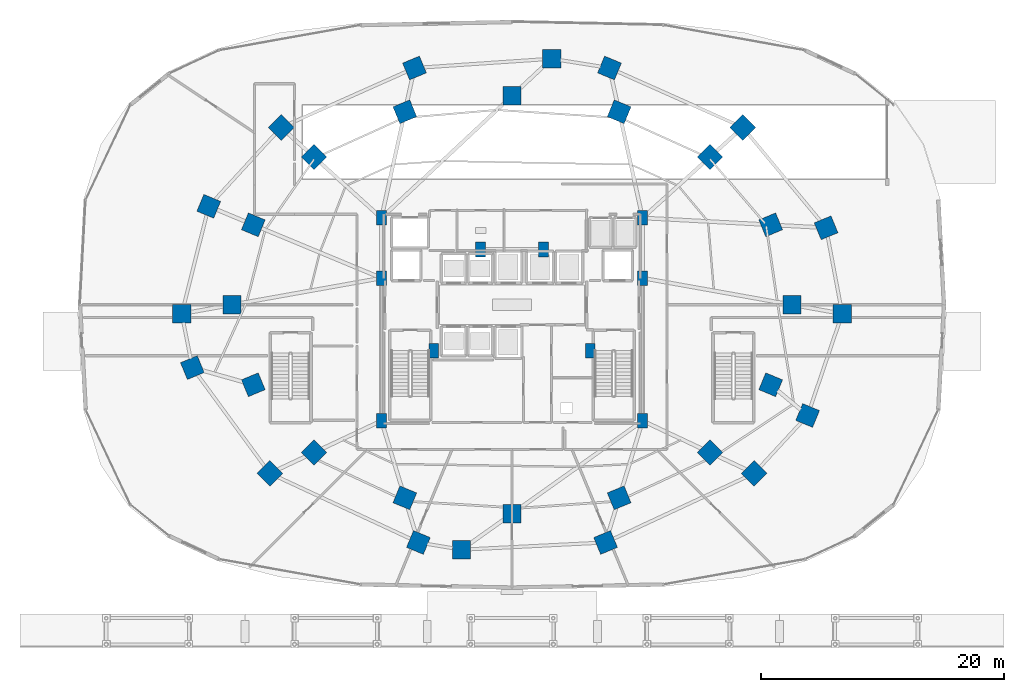
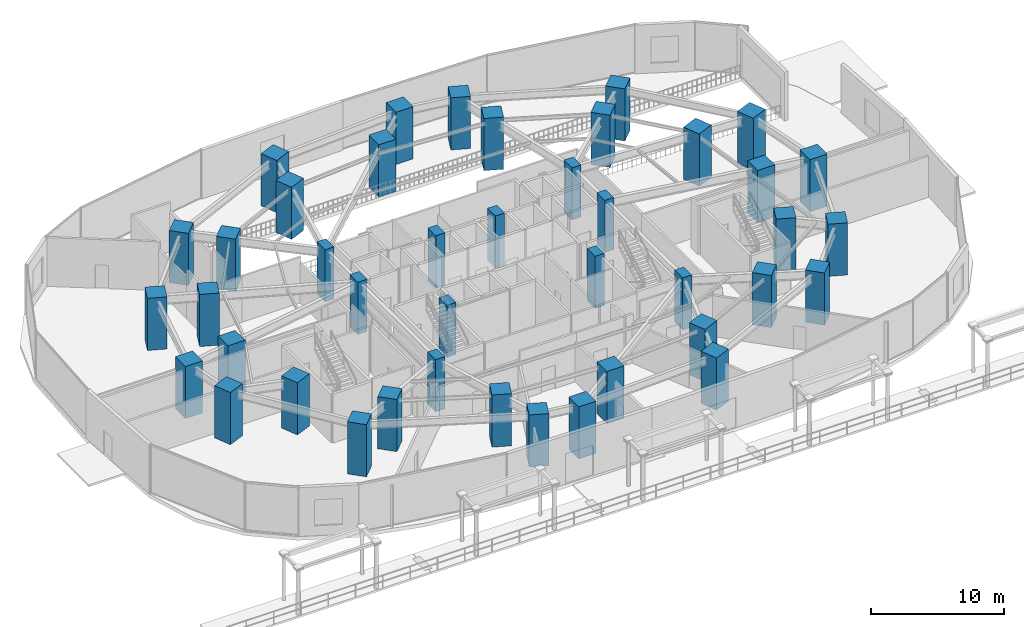
# One storey, part 1 of 36: 42 columns.
"""IFC4 building model written with IfcOpenShell, lengths in metres."""

from ifc_helpers import new_model, si_unit, direction, frame, origin, origin_2d, place, context, subcontext, project, spatial, rectangle, extrude, material, material_profile, profile_set, type_object, element, save


model = new_model("IFC4")

# Units and contexts
model_context = context("Model", 3, precision=1e-05, world=origin(), true_north=direction((0.0, 1.0)))
body_context = subcontext(model_context, "Body", "Model", "MODEL_VIEW")
ifc_project = project(units=[si_unit("LENGTHUNIT", "METRE"), si_unit("AREAUNIT", "SQUARE_METRE"), si_unit("VOLUMEUNIT", "CUBIC_METRE"), si_unit("PLANEANGLEUNIT", "RADIAN"), si_unit("MASSUNIT", "GRAM", prefix="KILO")], contexts=[model_context])

# Site, building, storey
site_placement = place(None, origin())
site = spatial("IfcSite", under=ifc_project, at=site_placement, CompositionType="ELEMENT")
building_placement = place(site_placement, origin())
building = spatial("IfcBuilding", under=site, at=building_placement, Name="Vorneva Point Tower", CompositionType="ELEMENT")
storey_placement = place(building_placement, origin())
storey = spatial("IfcBuildingStorey", under=building, at=storey_placement, Name="L00", CompositionType="ELEMENT", Elevation=0.0)

# Columns
ifc_material = material(Name="Concrete B60 (C50/60)", Category="concrete")
ifc_material_profile_1 = material_profile(ifc_material, rectangle(XDim=1.5, YDim=1.5, at=origin_2d()), Name="RC-COL 1500x1500")
ifc_profile_set_1 = profile_set([ifc_material_profile_1], Name="Concrete B60 (C50/60)")
column_type_1 = type_object("IfcColumnType", Name="COL-RC1500", PredefinedType="COLUMN", material=ifc_profile_set_1)
for number, where, z_axis, x_axis, name in (
    (1, (61.050048828125, 26.0, 0.0), (0.0, 0.0, 1.0), (1.0, 0.0, 0.0), "L00 Perimeter Column P01"),
    (2, (59.29541015625, 32.582275390625, 0.0), (0.0, 0.0, 1.0), (0.923879532511, 0.382683432365, 0.0), "L00 Perimeter Column P02"),
    (3, (54.298828125, 38.162109375, 0.0), (0.0, 0.0, 1.0), (0.707106781187, 0.707106781187, 0.0), "L00 Perimeter Column P03"),
    (4, (46.82080078125, 41.890625, 0.0), (0.0, 0.0, 1.0), (0.382683432365, 0.923879532511, 0.0), "L00 Perimeter Column P04"),
    (5, (38.0, 43.199951171875, 0.0), (0.0, 0.0, 1.0), (0.0, 1.0, 0.0), "L00 Perimeter Column P05"),
    (6, (29.17919921875, 41.890625, 0.0), (0.0, 0.0, 1.0), (-0.382683432365, 0.923879532511, 0.0), "L00 Perimeter Column P06"),
    (7, (21.701171875, 38.162109375, 0.0), (0.0, 0.0, 1.0), (-0.707106781187, 0.707106781187, 0.0), "L00 Perimeter Column P07"),
    (8, (16.70458984375, 32.582275390625, 0.0), (0.0, 0.0, 1.0), (-0.923879532511, 0.382683432365, 0.0), "L00 Perimeter Column P08"),
    (9, (14.949951171875, 26.0, 0.0), (0.0, 0.0, 1.0), (-1.0, 0.0, 0.0), "L00 Perimeter Column P09"),
    (10, (16.70458984375, 19.417724609375, 0.0), (0.0, 0.0, 1.0), (-0.923879532511, -0.382683432365, 0.0), "L00 Perimeter Column P10"),
    (11, (21.701171875, 13.837890625, 0.0), (0.0, 0.0, 1.0), (-0.707106781187, -0.707106781187, 0.0), "L00 Perimeter Column P11"),
    (12, (29.17919921875, 10.109375, 0.0), (0.0, 0.0, 1.0), (-0.382683432365, -0.923879532511, 0.0), "L00 Perimeter Column P12"),
    (13, (38.0, 8.800048828125, 0.0), (0.0, 0.0, 1.0), (0.0, -1.0, 0.0), "L00 Perimeter Column P13"),
    (14, (46.82080078125, 10.109375, 0.0), (0.0, 0.0, 1.0), (0.382683432365, -0.923879532511, 0.0), "L00 Perimeter Column P14"),
    (15, (54.298828125, 13.837890625, 0.0), (0.0, 0.0, 1.0), (0.707106781187, -0.707106781187, 0.0), "L00 Perimeter Column P15"),
    (16, (59.29541015625, 19.417724609375, 0.0), (0.0, 0.0, 1.0), (0.923879532511, -0.382683432365, 0.0), "L00 Perimeter Column P16"),
    (17, (65.18212890625, 25.260986328125, 0.0), (0.0, 0.0, 1.0), (1.0, 0.0, 0.0), "L00 Outer Zone Column OP01"),
    (18, (63.8544921875, 32.336669921875, 0.0), (0.0, 0.0, 1.0), (0.923879532511, 0.382683432365, 0.0), "L00 Outer Zone Column OP02"),
    (19, (56.997314453125, 40.599853515625, 0.0), (0.0, 0.0, 1.0), (0.707106781187, 0.707106781187, 0.0), "L00 Outer Zone Column OP03"),
    (20, (46.026123046875, 45.49169921875, 0.0), (0.0, 0.0, 1.0), (0.382683432365, 0.923879532511, 0.0), "L00 Outer Zone Column OP04"),
    (21, (41.26513671875, 46.25244140625, 0.0), (0.0, 0.0, 1.0), (0.0, 1.0, 0.0), "L00 Outer Zone Column OP05"),
    (22, (29.973876953125, 45.49169921875, 0.0), (0.0, 0.0, 1.0), (-0.382683432365, 0.923879532511, 0.0), "L00 Outer Zone Column OP06"),
    (23, (19.002685546875, 40.599853515625, 0.0), (0.0, 0.0, 1.0), (-0.707106781187, 0.707106781187, 0.0), "L00 Outer Zone Column OP07"),
    (24, (13.0390625, 34.10546875, 0.0), (0.0, 0.0, 1.0), (-0.923879532511, 0.382683432365, 0.0), "L00 Outer Zone Column OP08"),
    (25, (10.81787109375, 25.260986328125, 0.0), (0.0, 0.0, 1.0), (-1.0, 0.0, 0.0), "L00 Outer Zone Column OP09"),
    (26, (11.68798828125, 20.82958984375, 0.0), (0.0, 0.0, 1.0), (-0.923879532511, -0.382683432365, 0.0), "L00 Outer Zone Column OP10"),
    (27, (18.061279296875, 12.124267578125, 0.0), (0.0, 0.0, 1.0), (-0.707106781187, -0.707106781187, 0.0), "L00 Outer Zone Column OP11"),
    (28, (30.296875, 6.435302734375, 0.0), (0.0, 0.0, 1.0), (-0.382683432365, -0.923879532511, 0.0), "L00 Outer Zone Column OP12"),
    (29, (33.84033203125, 5.83984375, 0.0), (0.0, 0.0, 1.0), (0.0, -1.0, 0.0), "L00 Outer Zone Column OP13"),
    (30, (45.703125, 6.435302734375, 0.0), (0.0, 0.0, 1.0), (0.382683432365, -0.923879532511, 0.0), "L00 Outer Zone Column OP14"),
    (31, (57.938720703125, 12.124267578125, 0.0), (0.0, 0.0, 1.0), (0.707106781187, -0.707106781187, 0.0), "L00 Outer Zone Column OP15"),
    (32, (62.3349609375, 16.886474609375, 0.0), (0.0, 0.0, 1.0), (0.923879532511, -0.382683432365, 0.0), "L00 Outer Zone Column OP16"),
):
    element("IfcColumn", number, at=place(storey_placement, frame(where, z_axis=z_axis, x_axis=x_axis)), inside=storey, type_object=column_type_1, Name=name, PredefinedType="COLUMN", context=body_context, shape_type="SweptSolid", body=[
        extrude(rectangle(XDim=1.5, YDim=1.5, at=origin_2d()), origin(), (0.0, 0.0, 1.0), 4.800048828125),
    ])
ifc_material_profile_2 = material_profile(ifc_material, rectangle(XDim=0.800048828125, YDim=1.199951171875, at=origin_2d()), Name="RC-PIL 1200x800")
ifc_profile_set_2 = profile_set([ifc_material_profile_2], Name="Concrete B60 (C50/60)")
column_type_2 = type_object("IfcColumnType", Name="PIL-RC1200x800", PredefinedType="PILASTER", material=ifc_profile_set_2)
for number, where, z_axis, x_axis, name in (
    (33, (27.25, 16.449951171875, 0.0), (0.0, 0.0, 1.0), (1.0, 0.0, 0.0), "L00 Core Pilaster CP1"),
    (34, (27.25, 28.199951171875, 0.0), (0.0, 0.0, 1.0), (1.0, 0.0, 0.0), "L00 Core Pilaster CP2"),
    (35, (27.25, 33.14990234375, 0.0), (0.0, 0.0, 1.0), (1.0, 0.0, 0.0), "L00 Core Pilaster CP3"),
    (36, (31.550048828125, 22.199951171875, 0.0), (0.0, 0.0, 1.0), (1.0, 0.0, 0.0), "L00 Core Pilaster CP4"),
    (37, (48.75, 33.14990234375, 0.0), (0.0, 0.0, 1.0), (1.0, 0.0, 0.0), "L00 Core Pilaster CP5"),
    (38, (48.75, 28.199951171875, 0.0), (0.0, 0.0, 1.0), (1.0, 0.0, 0.0), "L00 Core Pilaster CP6"),
    (39, (48.75, 16.449951171875, 0.0), (0.0, 0.0, 1.0), (1.0, 0.0, 0.0), "L00 Core Pilaster CP7"),
    (40, (44.449951171875, 22.199951171875, 0.0), (0.0, 0.0, 1.0), (1.0, 0.0, 0.0), "L00 Core Pilaster CP8"),
    (41, (35.39990234375, 30.550048828125, 0.0), (0.0, 0.0, 1.0), (1.0, 0.0, 0.0), "L00 Core Pilaster CP9"),
    (42, (40.60009765625, 30.550048828125, 0.0), (0.0, 0.0, 1.0), (1.0, 0.0, 0.0), "L00 Core Pilaster CP10"),
):
    element("IfcColumn", number, at=place(storey_placement, frame(where, z_axis=z_axis, x_axis=x_axis)), inside=storey, type_object=column_type_2, Name=name, PredefinedType="PILASTER", context=body_context, shape_type="SweptSolid", body=[
        extrude(rectangle(XDim=0.800048828125, YDim=1.199951171875, at=origin_2d()), origin(), (0.0, 0.0, 1.0), 4.800048828125),
    ])

save(model, "model.ifc")
